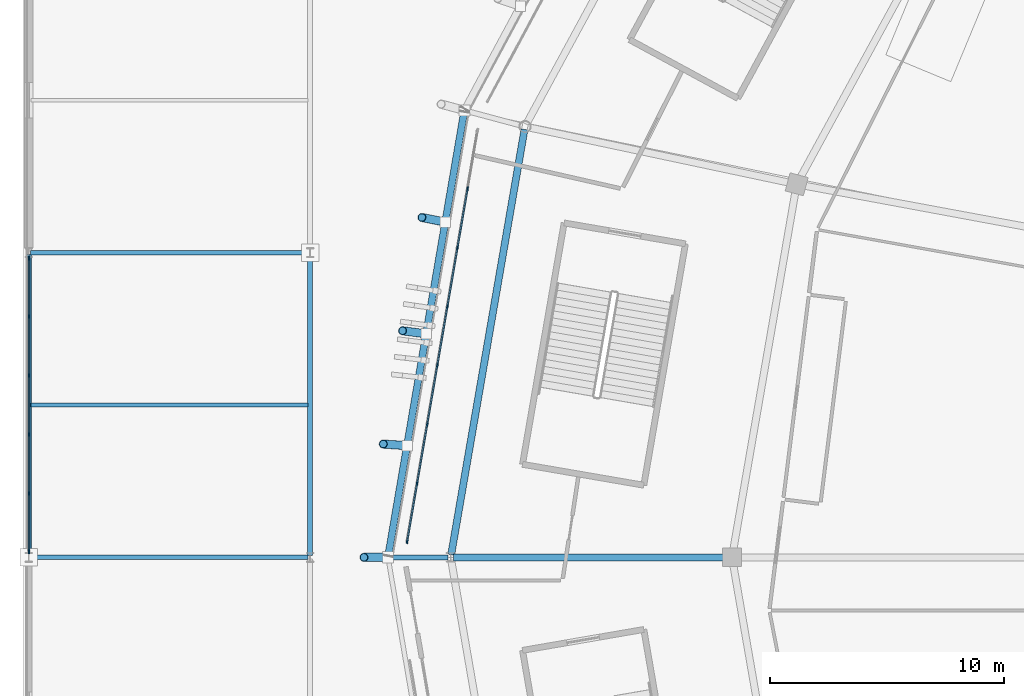
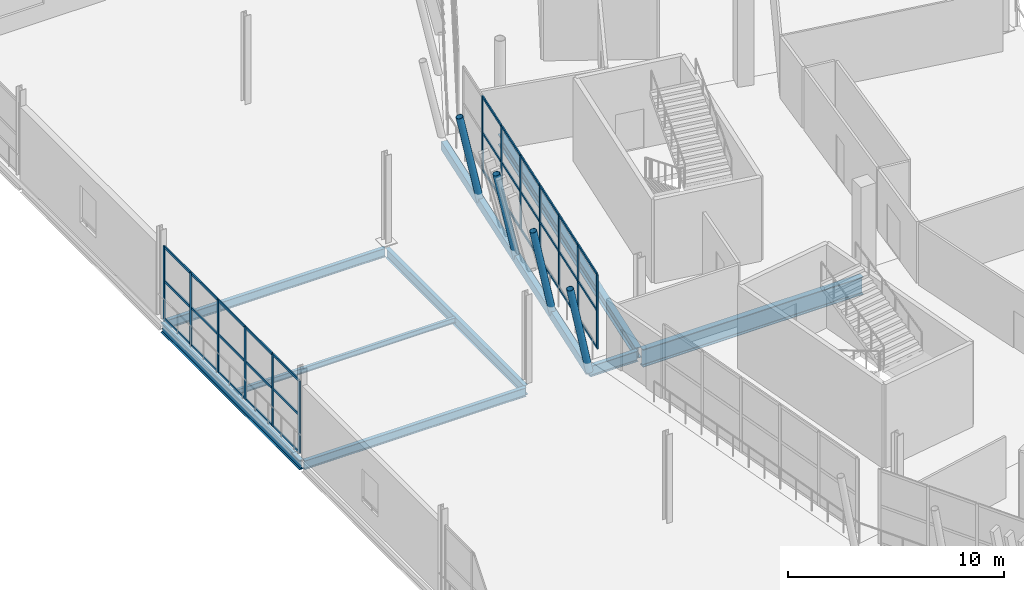
# One storey, part 41 of 179: 50 members, 9 beams, 2 elements without a shape of their own.
"""IFC4 building model written with IfcOpenShell, lengths in metres."""

from ifc_helpers import new_model, si_unit, direction, frame, origin, origin_2d, place, context, subcontext, project, spatial, rectangle, hollow_rectangle, hollow_circle, i_section, extrude, material, material_profile, profile_set, type_object, element, aggregate, save


model = new_model("IFC4")

# Units and contexts
model_context = context("Model", 3, precision=1e-05, world=origin(), true_north=direction((0.0, 1.0)))
body_context = subcontext(model_context, "Body", "Model", "MODEL_VIEW")
ifc_project = project(units=[si_unit("LENGTHUNIT", "METRE"), si_unit("AREAUNIT", "SQUARE_METRE"), si_unit("VOLUMEUNIT", "CUBIC_METRE"), si_unit("PLANEANGLEUNIT", "RADIAN"), si_unit("MASSUNIT", "GRAM", prefix="KILO")], contexts=[model_context])

# Site, building, storey
site_placement = place(None, origin())
site = spatial("IfcSite", under=ifc_project, at=site_placement, CompositionType="ELEMENT")
building_placement = place(site_placement, origin())
building = spatial("IfcBuilding", under=site, at=building_placement, Name="Zlatoyarsky Gate Stadium", CompositionType="ELEMENT")
storey_placement = place(building_placement, frame((0.0, 0.0, 10.60009765625)))
storey = spatial("IfcBuildingStorey", under=building, at=storey_placement, Name="L02", CompositionType="ELEMENT", Elevation=10.60009765625)

# Curtain wall, members
ifc_material_1 = material(Name="Thermally broken anodised aluminium curtain wall", Category="aluminium")
curtain_wall_type_1 = type_object("IfcCurtainWallType", Name="UNITISED HOSPITALITY GLAZING L02", PredefinedType="USERDEFINED", material=ifc_material_1)
curtain_wall_1_placement = place(storey_placement, origin())
curtain_wall_1 = element("IfcCurtainWall", 1, at=curtain_wall_1_placement, inside=storey, type_object=curtain_wall_type_1, Name="Curtain wall CW-L02-11", ObjectType="UNITISED GLAZING", PredefinedType="USERDEFINED")
ifc_material_2 = material(Name="Anodised aluminium 6063-T6", Category="aluminium")
ifc_material_profile_1 = material_profile(ifc_material_2, rectangle(XDim=0.06494140625, YDim=0.159912109375, at=origin_2d()), Name="ALU 65X160")
ifc_profile_set_1 = profile_set([ifc_material_profile_1], Name="Anodised aluminium 6063-T6")
member_type_1 = type_object("IfcMemberType", Name="ALUMINIUM MULLION 65X160", PredefinedType="MULLION", material=ifc_profile_set_1)
member_1_placement = place(storey_placement, frame((18.719482421875, 95.731689453125, 0.0), z_axis=(0.0, 0.0, 1.0), x_axis=(0.985637221019, -0.168876489016, 0.0)))
member_1 = element("IfcMember", 2, at=member_1_placement, type_object=member_type_1, Name="CW-UG2 mullion 2", PredefinedType="MULLION", context=body_context, shape_type="SweptSolid", body=[
    extrude(rectangle(XDim=0.06494140625, YDim=0.159912109375, at=origin_2d()), origin(), (0.0, 0.0, 1.0), 4.199951171875),
])
member_2_placement = place(storey_placement, frame((18.28857421875, 93.216552734375, 0.0), z_axis=(0.0, 0.0, 1.0), x_axis=(0.985637221019, -0.168876489016, 0.0)))
member_2 = element("IfcMember", 3, at=member_2_placement, type_object=member_type_1, Name="CW-UG2 mullion 3", PredefinedType="MULLION", context=body_context, shape_type="SweptSolid", body=[
    extrude(rectangle(XDim=0.06494140625, YDim=0.159912109375, at=origin_2d()), origin(), (0.0, 0.0, 1.0), 4.199951171875),
])
member_3_placement = place(storey_placement, frame((17.857666015625, 90.701416015625, 0.0), z_axis=(0.0, 0.0, 1.0), x_axis=(0.985637221019, -0.168876489016, 0.0)))
member_3 = element("IfcMember", 4, at=member_3_placement, type_object=member_type_1, Name="CW-UG2 mullion 4", PredefinedType="MULLION", context=body_context, shape_type="SweptSolid", body=[
    extrude(rectangle(XDim=0.06494140625, YDim=0.159912109375, at=origin_2d()), origin(), (0.0, 0.0, 1.0), 4.199951171875),
])
member_4_placement = place(storey_placement, frame((17.4267578125, 88.186279296875, 0.0), z_axis=(0.0, 0.0, 1.0), x_axis=(0.985637221019, -0.168876489016, 0.0)))
member_4 = element("IfcMember", 5, at=member_4_placement, type_object=member_type_1, Name="CW-UG2 mullion 5", PredefinedType="MULLION", context=body_context, shape_type="SweptSolid", body=[
    extrude(rectangle(XDim=0.06494140625, YDim=0.159912109375, at=origin_2d()), origin(), (0.0, 0.0, 1.0), 4.199951171875),
])
member_5_placement = place(storey_placement, frame((16.995849609375, 85.671142578125, 0.0), z_axis=(0.0, 0.0, 1.0), x_axis=(0.985637221019, -0.168876489016, 0.0)))
member_5 = element("IfcMember", 6, at=member_5_placement, type_object=member_type_1, Name="CW-UG2 mullion 6", PredefinedType="MULLION", context=body_context, shape_type="SweptSolid", body=[
    extrude(rectangle(XDim=0.06494140625, YDim=0.159912109375, at=origin_2d()), origin(), (0.0, 0.0, 1.0), 4.199951171875),
])
member_6_placement = place(storey_placement, frame((16.56494140625, 83.15576171875, 0.0), z_axis=(0.0, 0.0, 1.0), x_axis=(0.985637221019, -0.168876489016, 0.0)))
member_6 = element("IfcMember", 7, at=member_6_placement, type_object=member_type_1, Name="CW-UG2 mullion 7", PredefinedType="MULLION", context=body_context, shape_type="SweptSolid", body=[
    extrude(rectangle(XDim=0.06494140625, YDim=0.159912109375, at=origin_2d()), origin(), (0.0, 0.0, 1.0), 4.199951171875),
])
member_7_placement = place(storey_placement, frame((16.139404296875, 80.6728515625, 0.0), z_axis=(0.0, 0.0, 1.0), x_axis=(0.985637221019, -0.168876489016, 0.0)))
member_7 = element("IfcMember", 8, at=member_7_placement, type_object=member_type_1, Name="CW-UG2 mullion 8", PredefinedType="MULLION", context=body_context, shape_type="SweptSolid", body=[
    extrude(rectangle(XDim=0.06494140625, YDim=0.159912109375, at=origin_2d()), origin(), (0.0, 0.0, 1.0), 4.199951171875),
])

curtain_wall_type_2 = type_object("IfcCurtainWallType", Name="WINTER GARDEN CONSERVATORY GLAZING", PredefinedType="USERDEFINED", material=ifc_material_1)
curtain_wall_2_placement = place(storey_placement, origin())
curtain_wall_2 = element("IfcCurtainWall", 9, at=curtain_wall_2_placement, inside=storey, type_object=curtain_wall_type_2, Name="Curtain wall CW-V4_WEST-L02-169", ObjectType="UNITISED GLAZING", PredefinedType="USERDEFINED")
member_8_placement = place(storey_placement, frame((0.0, 80.244384765625, 0.0), z_axis=(0.0, 0.0, 1.0), x_axis=(-1.0, 0.0, 0.0)))
member_8 = element("IfcMember", 10, at=member_8_placement, type_object=member_type_1, Name="CW-WG1 mullion 1", PredefinedType="MULLION", context=body_context, shape_type="SweptSolid", body=[
    extrude(rectangle(XDim=0.06494140625, YDim=0.159912109375, at=origin_2d()), origin(), (0.0, 0.0, 1.0), 4.099853515625),
])
member_9_placement = place(storey_placement, frame((0.0, 82.727294921875, 0.0), z_axis=(0.0, 0.0, 1.0), x_axis=(-1.0, 0.0, 0.0)))
member_9 = element("IfcMember", 11, at=member_9_placement, type_object=member_type_1, Name="CW-WG1 mullion 2", PredefinedType="MULLION", context=body_context, shape_type="SweptSolid", body=[
    extrude(rectangle(XDim=0.06494140625, YDim=0.159912109375, at=origin_2d()), origin(), (0.0, 0.0, 1.0), 4.099853515625),
])
member_10_placement = place(storey_placement, frame((0.0, 85.242431640625, 0.0), z_axis=(0.0, 0.0, 1.0), x_axis=(-1.0, 0.0, 0.0)))
member_10 = element("IfcMember", 12, at=member_10_placement, type_object=member_type_1, Name="CW-WG1 mullion 3", PredefinedType="MULLION", context=body_context, shape_type="SweptSolid", body=[
    extrude(rectangle(XDim=0.06494140625, YDim=0.159912109375, at=origin_2d()), origin(), (0.0, 0.0, 1.0), 4.099853515625),
])
member_11_placement = place(storey_placement, frame((0.0, 87.757568359375, 0.0), z_axis=(0.0, 0.0, 1.0), x_axis=(-1.0, 0.0, 0.0)))
member_11 = element("IfcMember", 13, at=member_11_placement, type_object=member_type_1, Name="CW-WG1 mullion 4", PredefinedType="MULLION", context=body_context, shape_type="SweptSolid", body=[
    extrude(rectangle(XDim=0.06494140625, YDim=0.159912109375, at=origin_2d()), origin(), (0.0, 0.0, 1.0), 4.099853515625),
])
member_12_placement = place(storey_placement, frame((0.0, 90.272705078125, 0.0), z_axis=(0.0, 0.0, 1.0), x_axis=(-1.0, 0.0, 0.0)))
member_12 = element("IfcMember", 14, at=member_12_placement, type_object=member_type_1, Name="CW-WG1 mullion 5", PredefinedType="MULLION", context=body_context, shape_type="SweptSolid", body=[
    extrude(rectangle(XDim=0.06494140625, YDim=0.159912109375, at=origin_2d()), origin(), (0.0, 0.0, 1.0), 4.099853515625),
])
member_13_placement = place(storey_placement, frame((0.0, 92.755615234375, 0.0), z_axis=(0.0, 0.0, 1.0), x_axis=(-1.0, 0.0, 0.0)))
member_13 = element("IfcMember", 15, at=member_13_placement, type_object=member_type_1, Name="CW-WG1 mullion 6", PredefinedType="MULLION", context=body_context, shape_type="SweptSolid", body=[
    extrude(rectangle(XDim=0.06494140625, YDim=0.159912109375, at=origin_2d()), origin(), (0.0, 0.0, 1.0), 4.099853515625),
])

# Member
ifc_material_profile_2 = material_profile(ifc_material_2, rectangle(XDim=0.06494140625, YDim=0.139892578125, at=origin_2d()), Name="ALU 65X140")
ifc_profile_set_2 = profile_set([ifc_material_profile_2], Name="Anodised aluminium 6063-T6")
member_type_2 = type_object("IfcMemberType", Name="ALUMINIUM TRANSOM 65X140", PredefinedType="USERDEFINED", material=ifc_profile_set_2)
member_14_placement = place(storey_placement, frame((18.714111328125, 95.69970703125, 0.032470703125), z_axis=(-0.168854821238, -0.985640933274, 0.0), x_axis=(0.985640933274, -0.168854821238, 0.0)))
member_14 = element("IfcMember", 16, at=member_14_placement, type_object=member_type_2, Name="CW-UG2 transom 2.1", ObjectType="TRANSOM", PredefinedType="USERDEFINED", context=body_context, shape_type="SweptSolid", body=[
    extrude(rectangle(XDim=0.06494140625, YDim=0.139892578125, at=origin_2d()), origin(), (0.0, 0.0, 1.0), 2.48681640625),
])

member_15_placement = place(storey_placement, frame((18.714111328125, 95.69970703125, 2.14990234375), z_axis=(-0.168854821238, -0.985640933274, 0.0), x_axis=(0.985640933274, -0.168854821238, 0.0)))
member_15 = element("IfcMember", 17, at=member_15_placement, type_object=member_type_2, Name="CW-UG2 transom 2.2", ObjectType="TRANSOM", PredefinedType="USERDEFINED", context=body_context, shape_type="SweptSolid", body=[
    extrude(rectangle(XDim=0.06494140625, YDim=0.139892578125, at=origin_2d()), origin(), (0.0, 0.0, 1.0), 2.48681640625),
])

member_16_placement = place(storey_placement, frame((18.714111328125, 95.69970703125, 4.16748046875), z_axis=(-0.168854821238, -0.985640933274, 0.0), x_axis=(0.985640933274, -0.168854821238, 0.0)))
member_16 = element("IfcMember", 18, at=member_16_placement, type_object=member_type_2, Name="CW-UG2 transom 2.3", ObjectType="TRANSOM", PredefinedType="USERDEFINED", context=body_context, shape_type="SweptSolid", body=[
    extrude(rectangle(XDim=0.06494140625, YDim=0.139892578125, at=origin_2d()), origin(), (0.0, 0.0, 1.0), 2.48681640625),
])

member_17_placement = place(storey_placement, frame((18.283203125, 93.1845703125, 0.032470703125), z_axis=(-0.168854821238, -0.985640933274, 0.0), x_axis=(0.985640933274, -0.168854821238, 0.0)))
member_17 = element("IfcMember", 19, at=member_17_placement, type_object=member_type_2, Name="CW-UG2 transom 3.1", ObjectType="TRANSOM", PredefinedType="USERDEFINED", context=body_context, shape_type="SweptSolid", body=[
    extrude(rectangle(XDim=0.06494140625, YDim=0.139892578125, at=origin_2d()), origin(), (0.0, 0.0, 1.0), 2.48681640625),
])

member_18_placement = place(storey_placement, frame((18.283203125, 93.1845703125, 2.14990234375), z_axis=(-0.168854821238, -0.985640933274, 0.0), x_axis=(0.985640933274, -0.168854821238, 0.0)))
member_18 = element("IfcMember", 20, at=member_18_placement, type_object=member_type_2, Name="CW-UG2 transom 3.2", ObjectType="TRANSOM", PredefinedType="USERDEFINED", context=body_context, shape_type="SweptSolid", body=[
    extrude(rectangle(XDim=0.06494140625, YDim=0.139892578125, at=origin_2d()), origin(), (0.0, 0.0, 1.0), 2.48681640625),
])

member_19_placement = place(storey_placement, frame((18.283203125, 93.1845703125, 4.16748046875), z_axis=(-0.168854821238, -0.985640933274, 0.0), x_axis=(0.985640933274, -0.168854821238, 0.0)))
member_19 = element("IfcMember", 21, at=member_19_placement, type_object=member_type_2, Name="CW-UG2 transom 3.3", ObjectType="TRANSOM", PredefinedType="USERDEFINED", context=body_context, shape_type="SweptSolid", body=[
    extrude(rectangle(XDim=0.06494140625, YDim=0.139892578125, at=origin_2d()), origin(), (0.0, 0.0, 1.0), 2.48681640625),
])

member_20_placement = place(storey_placement, frame((17.852294921875, 90.66943359375, 0.032470703125), z_axis=(-0.168950191216, -0.985624590241, 0.0), x_axis=(0.985624590241, -0.168950191216, 0.0)))
member_20 = element("IfcMember", 22, at=member_20_placement, type_object=member_type_2, Name="CW-UG2 transom 4.1", ObjectType="TRANSOM", PredefinedType="USERDEFINED", context=body_context, shape_type="SweptSolid", body=[
    extrude(rectangle(XDim=0.06494140625, YDim=0.139892578125, at=origin_2d()), origin(), (0.0, 0.0, 1.0), 2.48681640625),
])

member_21_placement = place(storey_placement, frame((17.852294921875, 90.66943359375, 2.14990234375), z_axis=(-0.168950191216, -0.985624590241, 0.0), x_axis=(0.985624590241, -0.168950191216, 0.0)))
member_21 = element("IfcMember", 23, at=member_21_placement, type_object=member_type_2, Name="CW-UG2 transom 4.2", ObjectType="TRANSOM", PredefinedType="USERDEFINED", context=body_context, shape_type="SweptSolid", body=[
    extrude(rectangle(XDim=0.06494140625, YDim=0.139892578125, at=origin_2d()), origin(), (0.0, 0.0, 1.0), 2.48681640625),
])

member_22_placement = place(storey_placement, frame((17.852294921875, 90.66943359375, 4.16748046875), z_axis=(-0.168950191216, -0.985624590241, 0.0), x_axis=(0.985624590241, -0.168950191216, 0.0)))
member_22 = element("IfcMember", 24, at=member_22_placement, type_object=member_type_2, Name="CW-UG2 transom 4.3", ObjectType="TRANSOM", PredefinedType="USERDEFINED", context=body_context, shape_type="SweptSolid", body=[
    extrude(rectangle(XDim=0.06494140625, YDim=0.139892578125, at=origin_2d()), origin(), (0.0, 0.0, 1.0), 2.48681640625),
])

member_23_placement = place(storey_placement, frame((17.421142578125, 88.154296875, 0.032470703125), z_axis=(-0.168854821238, -0.985640933274, 0.0), x_axis=(0.985640933274, -0.168854821238, 0.0)))
member_23 = element("IfcMember", 25, at=member_23_placement, type_object=member_type_2, Name="CW-UG2 transom 5.1", ObjectType="TRANSOM", PredefinedType="USERDEFINED", context=body_context, shape_type="SweptSolid", body=[
    extrude(rectangle(XDim=0.06494140625, YDim=0.139892578125, at=origin_2d()), origin(), (0.0, 0.0, 1.0), 2.48681640625),
])

member_24_placement = place(storey_placement, frame((17.421142578125, 88.154296875, 2.14990234375), z_axis=(-0.168854821238, -0.985640933274, 0.0), x_axis=(0.985640933274, -0.168854821238, 0.0)))
member_24 = element("IfcMember", 26, at=member_24_placement, type_object=member_type_2, Name="CW-UG2 transom 5.2", ObjectType="TRANSOM", PredefinedType="USERDEFINED", context=body_context, shape_type="SweptSolid", body=[
    extrude(rectangle(XDim=0.06494140625, YDim=0.139892578125, at=origin_2d()), origin(), (0.0, 0.0, 1.0), 2.48681640625),
])

member_25_placement = place(storey_placement, frame((17.421142578125, 88.154296875, 4.16748046875), z_axis=(-0.168854821238, -0.985640933274, 0.0), x_axis=(0.985640933274, -0.168854821238, 0.0)))
member_25 = element("IfcMember", 27, at=member_25_placement, type_object=member_type_2, Name="CW-UG2 transom 5.3", ObjectType="TRANSOM", PredefinedType="USERDEFINED", context=body_context, shape_type="SweptSolid", body=[
    extrude(rectangle(XDim=0.06494140625, YDim=0.139892578125, at=origin_2d()), origin(), (0.0, 0.0, 1.0), 2.48681640625),
])

member_26_placement = place(storey_placement, frame((16.990234375, 85.638916015625, 0.032470703125), z_axis=(-0.168871161485, -0.985638133809, 0.0), x_axis=(0.985638133809, -0.168871161485, 0.0)))
member_26 = element("IfcMember", 28, at=member_26_placement, type_object=member_type_2, Name="CW-UG2 transom 6.1", ObjectType="TRANSOM", PredefinedType="USERDEFINED", context=body_context, shape_type="SweptSolid", body=[
    extrude(rectangle(XDim=0.06494140625, YDim=0.139892578125, at=origin_2d()), origin(), (0.0, 0.0, 1.0), 2.486572265625),
])

member_27_placement = place(storey_placement, frame((16.990234375, 85.638916015625, 2.14990234375), z_axis=(-0.168871161485, -0.985638133809, 0.0), x_axis=(0.985638133809, -0.168871161485, 0.0)))
member_27 = element("IfcMember", 29, at=member_27_placement, type_object=member_type_2, Name="CW-UG2 transom 6.2", ObjectType="TRANSOM", PredefinedType="USERDEFINED", context=body_context, shape_type="SweptSolid", body=[
    extrude(rectangle(XDim=0.06494140625, YDim=0.139892578125, at=origin_2d()), origin(), (0.0, 0.0, 1.0), 2.486572265625),
])

member_28_placement = place(storey_placement, frame((16.990234375, 85.638916015625, 4.16748046875), z_axis=(-0.168871161485, -0.985638133809, 0.0), x_axis=(0.985638133809, -0.168871161485, 0.0)))
member_28 = element("IfcMember", 30, at=member_28_placement, type_object=member_type_2, Name="CW-UG2 transom 6.3", ObjectType="TRANSOM", PredefinedType="USERDEFINED", context=body_context, shape_type="SweptSolid", body=[
    extrude(rectangle(XDim=0.06494140625, YDim=0.139892578125, at=origin_2d()), origin(), (0.0, 0.0, 1.0), 2.486572265625),
])

member_29_placement = place(storey_placement, frame((16.559326171875, 83.123779296875, 0.032470703125), z_axis=(-0.168914115201, -0.985630773508, 0.0), x_axis=(0.985630773508, -0.168914115201, 0.0)))
member_29 = element("IfcMember", 31, at=member_29_placement, type_object=member_type_2, Name="CW-UG2 transom 7.1", ObjectType="TRANSOM", PredefinedType="USERDEFINED", context=body_context, shape_type="SweptSolid", body=[
    extrude(rectangle(XDim=0.06494140625, YDim=0.139892578125, at=origin_2d()), origin(), (0.0, 0.0, 1.0), 2.4541015625),
])

member_30_placement = place(storey_placement, frame((16.559326171875, 83.123779296875, 2.14990234375), z_axis=(-0.168914115201, -0.985630773508, 0.0), x_axis=(0.985630773508, -0.168914115201, 0.0)))
member_30 = element("IfcMember", 32, at=member_30_placement, type_object=member_type_2, Name="CW-UG2 transom 7.2", ObjectType="TRANSOM", PredefinedType="USERDEFINED", context=body_context, shape_type="SweptSolid", body=[
    extrude(rectangle(XDim=0.06494140625, YDim=0.139892578125, at=origin_2d()), origin(), (0.0, 0.0, 1.0), 2.4541015625),
])

member_31_placement = place(storey_placement, frame((16.559326171875, 83.123779296875, 4.16748046875), z_axis=(-0.168914115201, -0.985630773508, 0.0), x_axis=(0.985630773508, -0.168914115201, 0.0)))
member_31 = element("IfcMember", 33, at=member_31_placement, type_object=member_type_2, Name="CW-UG2 transom 7.3", ObjectType="TRANSOM", PredefinedType="USERDEFINED", context=body_context, shape_type="SweptSolid", body=[
    extrude(rectangle(XDim=0.06494140625, YDim=0.139892578125, at=origin_2d()), origin(), (0.0, 0.0, 1.0), 2.4541015625),
])

aggregate(curtain_wall_1, [member_1, member_2, member_3, member_4, member_5, member_6, member_7, member_14, member_15, member_16, member_17, member_18, member_19, member_20, member_21, member_22, member_23, member_24, member_25, member_26, member_27, member_28, member_29, member_30, member_31])

member_32_placement = place(storey_placement, frame((0.0, 80.277099609375, 0.032470703125), z_axis=(0.0, 1.0, 0.0), x_axis=(-1.0, 0.0, 0.0)))
member_32 = element("IfcMember", 34, at=member_32_placement, type_object=member_type_2, Name="CW-WG1 transom 1.1", ObjectType="TRANSOM", PredefinedType="USERDEFINED", context=body_context, shape_type="SweptSolid", body=[
    extrude(rectangle(XDim=0.06494140625, YDim=0.139892578125, at=origin_2d()), origin(), (0.0, 0.0, 1.0), 2.41748046875),
])

member_33_placement = place(storey_placement, frame((0.0, 80.277099609375, 2.14990234375), z_axis=(0.0, 1.0, 0.0), x_axis=(-1.0, 0.0, 0.0)))
member_33 = element("IfcMember", 35, at=member_33_placement, type_object=member_type_2, Name="CW-WG1 transom 1.2", ObjectType="TRANSOM", PredefinedType="USERDEFINED", context=body_context, shape_type="SweptSolid", body=[
    extrude(rectangle(XDim=0.06494140625, YDim=0.139892578125, at=origin_2d()), origin(), (0.0, 0.0, 1.0), 2.41748046875),
])

member_34_placement = place(storey_placement, frame((0.0, 80.277099609375, 4.0673828125), z_axis=(0.0, 1.0, 0.0), x_axis=(-1.0, 0.0, 0.0)))
member_34 = element("IfcMember", 36, at=member_34_placement, type_object=member_type_2, Name="CW-WG1 transom 1.3", ObjectType="TRANSOM", PredefinedType="USERDEFINED", context=body_context, shape_type="SweptSolid", body=[
    extrude(rectangle(XDim=0.06494140625, YDim=0.139892578125, at=origin_2d()), origin(), (0.0, 0.0, 1.0), 2.41748046875),
])

member_35_placement = place(storey_placement, frame((0.0, 82.759765625, 0.032470703125), z_axis=(0.0, 1.0, 0.0), x_axis=(-1.0, 0.0, 0.0)))
member_35 = element("IfcMember", 37, at=member_35_placement, type_object=member_type_2, Name="CW-WG1 transom 2.1", ObjectType="TRANSOM", PredefinedType="USERDEFINED", context=body_context, shape_type="SweptSolid", body=[
    extrude(rectangle(XDim=0.06494140625, YDim=0.139892578125, at=origin_2d()), origin(), (0.0, 0.0, 1.0), 2.4501953125),
])

member_36_placement = place(storey_placement, frame((0.0, 82.759765625, 2.14990234375), z_axis=(0.0, 1.0, 0.0), x_axis=(-1.0, 0.0, 0.0)))
member_36 = element("IfcMember", 38, at=member_36_placement, type_object=member_type_2, Name="CW-WG1 transom 2.2", ObjectType="TRANSOM", PredefinedType="USERDEFINED", context=body_context, shape_type="SweptSolid", body=[
    extrude(rectangle(XDim=0.06494140625, YDim=0.139892578125, at=origin_2d()), origin(), (0.0, 0.0, 1.0), 2.4501953125),
])

member_37_placement = place(storey_placement, frame((0.0, 82.759765625, 4.0673828125), z_axis=(0.0, 1.0, 0.0), x_axis=(-1.0, 0.0, 0.0)))
member_37 = element("IfcMember", 39, at=member_37_placement, type_object=member_type_2, Name="CW-WG1 transom 2.3", ObjectType="TRANSOM", PredefinedType="USERDEFINED", context=body_context, shape_type="SweptSolid", body=[
    extrude(rectangle(XDim=0.06494140625, YDim=0.139892578125, at=origin_2d()), origin(), (0.0, 0.0, 1.0), 2.4501953125),
])

member_38_placement = place(storey_placement, frame((0.0, 85.27490234375, 0.032470703125), z_axis=(0.0, 1.0, 0.0), x_axis=(-1.0, 0.0, 0.0)))
member_38 = element("IfcMember", 40, at=member_38_placement, type_object=member_type_2, Name="CW-WG1 transom 3.1", ObjectType="TRANSOM", PredefinedType="USERDEFINED", context=body_context, shape_type="SweptSolid", body=[
    extrude(rectangle(XDim=0.06494140625, YDim=0.139892578125, at=origin_2d()), origin(), (0.0, 0.0, 1.0), 2.4501953125),
])

member_39_placement = place(storey_placement, frame((0.0, 85.27490234375, 2.14990234375), z_axis=(0.0, 1.0, 0.0), x_axis=(-1.0, 0.0, 0.0)))
member_39 = element("IfcMember", 41, at=member_39_placement, type_object=member_type_2, Name="CW-WG1 transom 3.2", ObjectType="TRANSOM", PredefinedType="USERDEFINED", context=body_context, shape_type="SweptSolid", body=[
    extrude(rectangle(XDim=0.06494140625, YDim=0.139892578125, at=origin_2d()), origin(), (0.0, 0.0, 1.0), 2.4501953125),
])

member_40_placement = place(storey_placement, frame((0.0, 85.27490234375, 4.0673828125), z_axis=(0.0, 1.0, 0.0), x_axis=(-1.0, 0.0, 0.0)))
member_40 = element("IfcMember", 42, at=member_40_placement, type_object=member_type_2, Name="CW-WG1 transom 3.3", ObjectType="TRANSOM", PredefinedType="USERDEFINED", context=body_context, shape_type="SweptSolid", body=[
    extrude(rectangle(XDim=0.06494140625, YDim=0.139892578125, at=origin_2d()), origin(), (0.0, 0.0, 1.0), 2.4501953125),
])

member_41_placement = place(storey_placement, frame((0.0, 87.7900390625, 0.032470703125), z_axis=(0.0, 1.0, 0.0), x_axis=(-1.0, 0.0, 0.0)))
member_41 = element("IfcMember", 43, at=member_41_placement, type_object=member_type_2, Name="CW-WG1 transom 4.1", ObjectType="TRANSOM", PredefinedType="USERDEFINED", context=body_context, shape_type="SweptSolid", body=[
    extrude(rectangle(XDim=0.06494140625, YDim=0.139892578125, at=origin_2d()), origin(), (0.0, 0.0, 1.0), 2.4501953125),
])

member_42_placement = place(storey_placement, frame((0.0, 87.7900390625, 2.14990234375), z_axis=(0.0, 1.0, 0.0), x_axis=(-1.0, 0.0, 0.0)))
member_42 = element("IfcMember", 44, at=member_42_placement, type_object=member_type_2, Name="CW-WG1 transom 4.2", ObjectType="TRANSOM", PredefinedType="USERDEFINED", context=body_context, shape_type="SweptSolid", body=[
    extrude(rectangle(XDim=0.06494140625, YDim=0.139892578125, at=origin_2d()), origin(), (0.0, 0.0, 1.0), 2.4501953125),
])

member_43_placement = place(storey_placement, frame((0.0, 87.7900390625, 4.0673828125), z_axis=(0.0, 1.0, 0.0), x_axis=(-1.0, 0.0, 0.0)))
member_43 = element("IfcMember", 45, at=member_43_placement, type_object=member_type_2, Name="CW-WG1 transom 4.3", ObjectType="TRANSOM", PredefinedType="USERDEFINED", context=body_context, shape_type="SweptSolid", body=[
    extrude(rectangle(XDim=0.06494140625, YDim=0.139892578125, at=origin_2d()), origin(), (0.0, 0.0, 1.0), 2.4501953125),
])

member_44_placement = place(storey_placement, frame((0.0, 90.305419921875, 0.032470703125), z_axis=(0.0, 1.0, 0.0), x_axis=(-1.0, 0.0, 0.0)))
member_44 = element("IfcMember", 46, at=member_44_placement, type_object=member_type_2, Name="CW-WG1 transom 5.1", ObjectType="TRANSOM", PredefinedType="USERDEFINED", context=body_context, shape_type="SweptSolid", body=[
    extrude(rectangle(XDim=0.06494140625, YDim=0.139892578125, at=origin_2d()), origin(), (0.0, 0.0, 1.0), 2.41748046875),
])

member_45_placement = place(storey_placement, frame((0.0, 90.305419921875, 2.14990234375), z_axis=(0.0, 1.0, 0.0), x_axis=(-1.0, 0.0, 0.0)))
member_45 = element("IfcMember", 47, at=member_45_placement, type_object=member_type_2, Name="CW-WG1 transom 5.2", ObjectType="TRANSOM", PredefinedType="USERDEFINED", context=body_context, shape_type="SweptSolid", body=[
    extrude(rectangle(XDim=0.06494140625, YDim=0.139892578125, at=origin_2d()), origin(), (0.0, 0.0, 1.0), 2.41748046875),
])

member_46_placement = place(storey_placement, frame((0.0, 90.305419921875, 4.0673828125), z_axis=(0.0, 1.0, 0.0), x_axis=(-1.0, 0.0, 0.0)))
member_46 = element("IfcMember", 48, at=member_46_placement, type_object=member_type_2, Name="CW-WG1 transom 5.3", ObjectType="TRANSOM", PredefinedType="USERDEFINED", context=body_context, shape_type="SweptSolid", body=[
    extrude(rectangle(XDim=0.06494140625, YDim=0.139892578125, at=origin_2d()), origin(), (0.0, 0.0, 1.0), 2.41748046875),
])

aggregate(curtain_wall_2, [member_8, member_9, member_10, member_11, member_12, member_13, member_32, member_33, member_34, member_35, member_36, member_37, member_38, member_39, member_40, member_41, member_42, member_43, member_44, member_45, member_46])

# Beams
ifc_material_3 = material(Name="Steel S355", Category="steel")
ifc_material_profile_3 = material_profile(ifc_material_3, i_section(OverallWidth=0.219970703125, OverallDepth=0.60009765625, WebThickness=0.011962890625, FlangeThickness=0.01904296875, FilletRadius=0.02392578125, at=origin_2d()), Name="IPE 600")
ifc_profile_set_3 = profile_set([ifc_material_profile_3], Name="Steel S355")
beam_type_1 = type_object("IfcBeamType", Name="STEEL CANTILEVER FLOOR BEAM IPE 600", PredefinedType="BEAM", material=ifc_profile_set_3)
beam_1_placement = place(storey_placement, frame((17.8798828125, 80.0, -0.580078125), z_axis=(-1.0, 0.0, 0.0), x_axis=(0.0, -1.0, 0.0)))
element("IfcBeam", 49, at=beam_1_placement, inside=storey, type_object=beam_type_1, Name="Beam B-IPE600 BM-L02-OUT-12", PredefinedType="BEAM", context=body_context, shape_type="SweptSolid", body=[
    extrude(i_section(OverallWidth=0.219970703125, OverallDepth=0.60009765625, WebThickness=0.011962890625, FlangeThickness=0.01904296875, FilletRadius=0.02392578125, at=origin_2d()), origin(), (0.0, 0.0, 1.0), 2.5556640625),
])
ifc_material_profile_4 = material_profile(ifc_material_3, i_section(OverallWidth=0.199951171875, OverallDepth=0.5, WebThickness=0.01025390625, FlangeThickness=0.01611328125, FilletRadius=0.02099609375, at=origin_2d()), Name="IPE 500")
ifc_profile_set_4 = profile_set([ifc_material_profile_4], Name="Steel S355")
beam_type_2 = type_object("IfcBeamType", Name="STEEL FLOOR BEAM IPE 500", PredefinedType="BEAM", material=ifc_profile_set_4)
for number, where, z_axis, x_axis, name in (
    (50, (0.080078125, 80.0, -0.530029296875), (1.0, 0.0, 0.0), (0.0, 1.0, 0.0), "Beam B-IPE500 BM-L02-WGX-1-H"),
    (51, (0.080078125, 93.0, -0.530029296875), (1.0, 0.0, 0.0), (0.0, 1.0, 0.0), "Beam B-IPE500 BM-L02-WGX-1-J"),
):
    element("IfcBeam", number, at=place(storey_placement, frame(where, z_axis=z_axis, x_axis=x_axis)), inside=storey, type_object=beam_type_2, Name=name, PredefinedType="BEAM", context=body_context, shape_type="SweptSolid", body=[
        extrude(i_section(OverallWidth=0.199951171875, OverallDepth=0.5, WebThickness=0.01025390625, FlangeThickness=0.01611328125, FilletRadius=0.02099609375, at=origin_2d()), origin(), (0.0, 0.0, 1.0), 11.83984375),
    ])
ifc_material_profile_5 = material_profile(ifc_material_3, i_section(OverallWidth=0.2099609375, OverallDepth=0.550048828125, WebThickness=0.010986328125, FlangeThickness=0.01708984375, FilletRadius=0.02392578125, at=origin_2d()), Name="IPE 550")
ifc_profile_set_5 = profile_set([ifc_material_profile_5], Name="Steel S355")
beam_type_3 = type_object("IfcBeamType", Name="STEEL FLOOR BEAM IPE 550", PredefinedType="BEAM", material=ifc_profile_set_5)
for number, where, z_axis, x_axis, name in (
    (52, (0.0, 80.080078125, -0.55517578125), (0.0, 1.0, 0.0), (-1.0, 0.0, 0.0), "Beam B-IPE550 BM-L02-WGY-1-H"),
    (53, (12.0, 80.080078125, -0.55517578125), (0.0, 1.0, 0.0), (-1.0, 0.0, 0.0), "Beam B-IPE550 BM-L02-WGY-2-H"),
):
    element("IfcBeam", number, at=place(storey_placement, frame(where, z_axis=z_axis, x_axis=x_axis)), inside=storey, type_object=beam_type_3, Name=name, PredefinedType="BEAM", context=body_context, shape_type="SweptSolid", body=[
        extrude(i_section(OverallWidth=0.2099609375, OverallDepth=0.550048828125, WebThickness=0.010986328125, FlangeThickness=0.01708984375, FilletRadius=0.02392578125, at=origin_2d()), origin(), (0.0, 0.0, 1.0), 12.83984375),
    ])

# Members
ifc_material_profile_6 = material_profile(ifc_material_3, hollow_circle(Radius=0.177734375, WallThickness=0.02001953125, at=origin_2d()), Name="CHS 355.6X20")
ifc_profile_set_6 = profile_set([ifc_material_profile_6], Name="Steel S355")
member_type_3 = type_object("IfcMemberType", Name="STEEL LEANING RIB RING STRUT CHS 355.6X20", PredefinedType="STRUT", material=ifc_profile_set_6)
member_47_placement = place(storey_placement, frame((15.32421875, 80.0, -0.580078125), z_axis=(-0.201080663232, 0.0, 0.979574686726), x_axis=(0.0, -1.0, 0.0)))
element("IfcMember", 54, at=member_47_placement, inside=storey, type_object=member_type_3, Name="Leaning ring strut 12 L02 to L03", PredefinedType="STRUT", context=body_context, shape_type="SweptSolid", body=[
    extrude(hollow_circle(Radius=0.177734375, WallThickness=0.02001953125, at=origin_2d()), origin(), (0.0, 0.0, 1.0), 5.104248046875),
])
member_48_placement = place(storey_placement, frame((17.769287109375, 94.301513671875, -0.530029296875), z_axis=(-0.19601262944, 0.039039859805, 0.979823932371), x_axis=(-0.195333486597, -0.980736880623, 0.0)))
element("IfcMember", 55, at=member_48_placement, inside=storey, type_object=member_type_3, Name="Outward-leaning bowl louvre fin rib L02 11-1", PredefinedType="STRUT", context=body_context, shape_type="SweptSolid", body=[
    extrude(hollow_circle(Radius=0.177734375, WallThickness=0.02001953125, at=origin_2d()), origin(), (0.0, 0.0, 1.0), 5.10302734375),
])
member_49_placement = place(storey_placement, frame((16.9541015625, 89.534423828125, -0.530029296875), z_axis=(-0.197705666672, 0.026029013231, 0.979915792217), x_axis=(-0.13052899417, -0.991444492486, 0.0)))
element("IfcMember", 56, at=member_49_placement, inside=storey, type_object=member_type_3, Name="Outward-leaning bowl louvre fin rib L02 11-2", PredefinedType="STRUT", context=body_context, shape_type="SweptSolid", body=[
    extrude(hollow_circle(Radius=0.177734375, WallThickness=0.02001953125, at=origin_2d()), origin(), (0.0, 0.0, 1.0), 5.1025390625),
])
member_50_placement = place(storey_placement, frame((16.13916015625, 84.76708984375, -0.530029296875), z_axis=(-0.1994106341, 0.013013361918, 0.979829603257), x_axis=(-0.065120598155, -0.997877401135, 0.0)))
element("IfcMember", 57, at=member_50_placement, inside=storey, type_object=member_type_3, Name="Outward-leaning bowl louvre fin rib L02 11-3", PredefinedType="STRUT", context=body_context, shape_type="SweptSolid", body=[
    extrude(hollow_circle(Radius=0.177734375, WallThickness=0.02001953125, at=origin_2d()), origin(), (0.0, 0.0, 1.0), 5.10302734375),
])

# Beams
ifc_material_profile_7 = material_profile(ifc_material_3, hollow_rectangle(XDim=0.300048828125, YDim=0.5, WallThickness=0.02001953125, at=origin_2d()), Name="RHS 500X300X20")
ifc_profile_set_7 = profile_set([ifc_material_profile_7], Name="Steel S355")
beam_type_4 = type_object("IfcBeamType", Name="STEEL LOUVRE CARRIER SPANDREL RHS 500X300X20", PredefinedType="SPANDREL", material=ifc_profile_set_7)
beam_2_placement = place(storey_placement, frame((18.580810546875, 99.049072265625, -0.530029296875), z_axis=(-0.168523637313, -0.985697612692, 0.0), x_axis=(0.985697612692, -0.168523637313, 0.0)))
element("IfcBeam", 58, at=beam_2_placement, inside=storey, type_object=beam_type_4, Name="Beam SP-RHS500 BM-L02-SPD-11", PredefinedType="SPANDREL", context=body_context, shape_type="SweptSolid", body=[
    extrude(hollow_rectangle(XDim=0.300048828125, YDim=0.5, WallThickness=0.02001953125, at=origin_2d()), origin(), (0.0, 0.0, 1.0), 19.305419921875),
])
ifc_material_profile_8 = material_profile(ifc_material_3, i_section(OverallWidth=0.300048828125, OverallDepth=0.60009765625, WebThickness=0.015380859375, FlangeThickness=0.030029296875, FilletRadius=0.027099609375, at=origin_2d()), Name="HEB 600")
ifc_profile_set_8 = profile_set([ifc_material_profile_8], Name="Steel S355")
beam_type_5 = type_object("IfcBeamType", Name="STEEL PRIMARY GIRDER HEB 600", PredefinedType="BEAM", material=ifc_profile_set_8)
beam_3_placement = place(storey_placement, frame((21.1484375, 98.2578125, -0.580078125), z_axis=(-0.169930456666, -0.985456056807, 0.0), x_axis=(0.985456056807, -0.169930456666, 0.0)))
element("IfcBeam", 59, at=beam_3_placement, inside=storey, type_object=beam_type_5, Name="Beam G-HEB600 BM-L02-CRC-11", PredefinedType="BEAM", context=body_context, shape_type="SweptSolid", body=[
    extrude(i_section(OverallWidth=0.300048828125, OverallDepth=0.60009765625, WebThickness=0.015380859375, FlangeThickness=0.030029296875, FilletRadius=0.027099609375, at=origin_2d()), origin(), (0.0, 0.0, 1.0), 18.4072265625),
])
ifc_material_profile_9 = material_profile(ifc_material_3, i_section(OverallWidth=0.14990234375, OverallDepth=0.300048828125, WebThickness=0.007080078125, FlangeThickness=0.0107421875, FilletRadius=0.014892578125, at=origin_2d()), Name="IPE 300")
ifc_profile_set_9 = profile_set([ifc_material_profile_9], Name="Steel S355")
beam_type_6 = type_object("IfcBeamType", Name="STEEL SECONDARY JOIST IPE 300", PredefinedType="JOIST", material=ifc_profile_set_9)
beam_4_placement = place(storey_placement, frame((0.090087890625, 86.5, -0.43017578125), z_axis=(1.0, 0.0, 0.0), x_axis=(0.0, 1.0, 0.0)))
element("IfcBeam", 60, at=beam_4_placement, inside=storey, type_object=beam_type_6, Name="Beam J-IPE300 JST-L02-1-H", PredefinedType="JOIST", context=body_context, shape_type="SweptSolid", body=[
    extrude(i_section(OverallWidth=0.14990234375, OverallDepth=0.300048828125, WebThickness=0.007080078125, FlangeThickness=0.0107421875, FilletRadius=0.014892578125, at=origin_2d()), origin(), (0.0, 0.0, 1.0), 11.81982421875),
])
ifc_material_profile_10 = material_profile(ifc_material_3, i_section(OverallWidth=0.300048828125, OverallDepth=1.0, WebThickness=0.01904296875, FlangeThickness=0.035888671875, FilletRadius=0.030029296875, at=origin_2d()), Name="HEB 1000")
ifc_profile_set_10 = profile_set([ifc_material_profile_10], Name="Steel S355")
beam_type_7 = type_object("IfcBeamType", Name="STEEL TRANSFER GIRDER HEB 1000", PredefinedType="BEAM", material=ifc_profile_set_10)
beam_5_placement = place(storey_placement, frame((29.8798828125, 80.0, -0.780029296875), z_axis=(-1.0, 0.0, 0.0), x_axis=(0.0, -1.0, 0.0)))
element("IfcBeam", 61, at=beam_5_placement, inside=storey, type_object=beam_type_7, Name="Beam G-HEB1000 BM-L02-RBC-12", PredefinedType="BEAM", context=body_context, shape_type="SweptSolid", body=[
    extrude(i_section(OverallWidth=0.300048828125, OverallDepth=1.0, WebThickness=0.01904296875, FlangeThickness=0.035888671875, FilletRadius=0.030029296875, at=origin_2d()), origin(), (0.0, 0.0, 1.0), 11.759765625),
])

save(model, "model.ifc")
